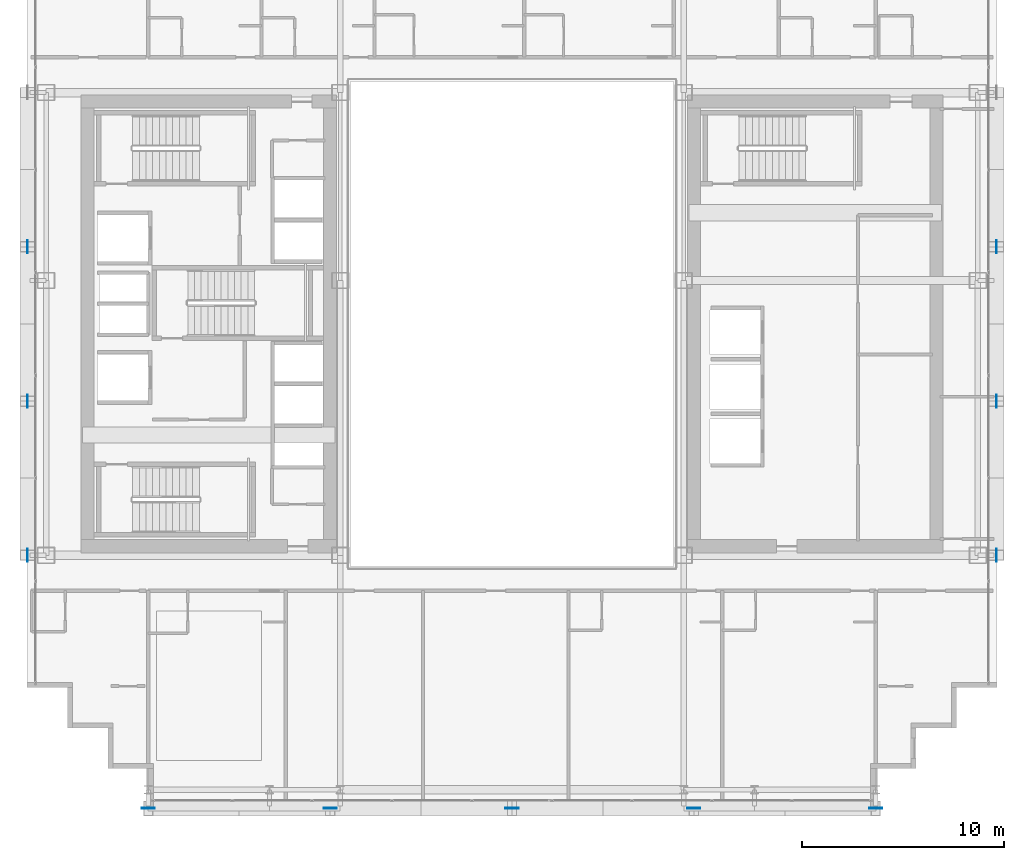
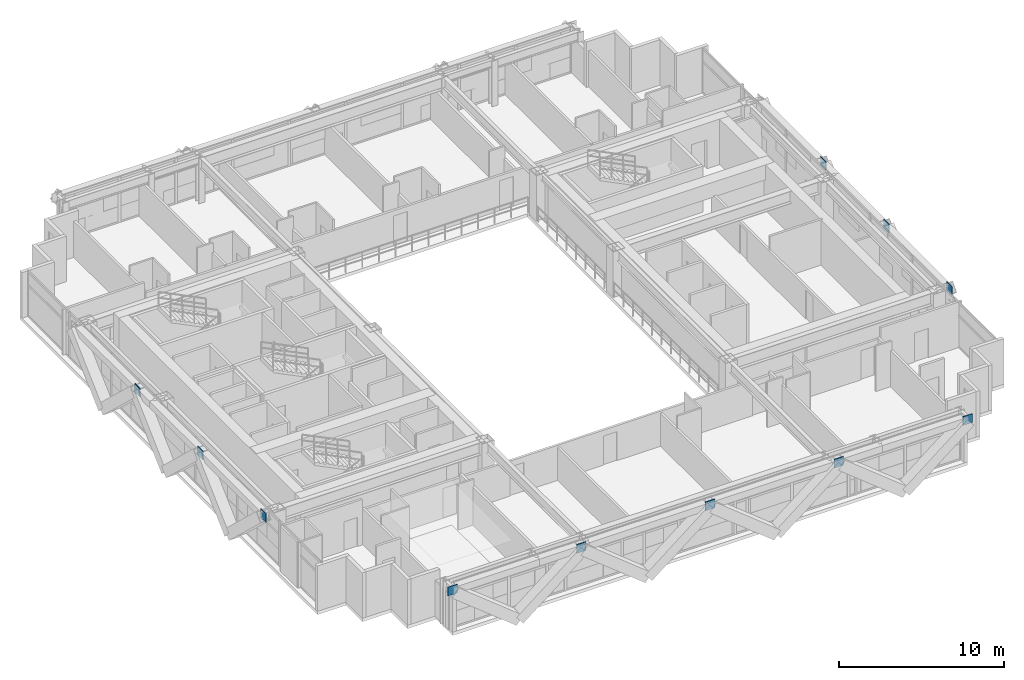
# One storey, part 25 of 35: 11 plates.
"""IFC4 building model written with IfcOpenShell, lengths in metres."""

from ifc_helpers import new_model, si_unit, direction, frame, origin, origin_2d, place, context, subcontext, project, spatial, rectangle, extrude, source, transform, mapped, material, layer, layer_set, type_object, element, save


model = new_model("IFC4")

# Units and contexts
model_context = context("Model", 3, precision=1e-05, world=origin(), true_north=direction((0.0, 1.0)))
body_context = subcontext(model_context, "Body", "Model", "MODEL_VIEW")
ifc_project = project(units=[si_unit("LENGTHUNIT", "METRE"), si_unit("AREAUNIT", "SQUARE_METRE"), si_unit("VOLUMEUNIT", "CUBIC_METRE"), si_unit("PLANEANGLEUNIT", "RADIAN"), si_unit("MASSUNIT", "GRAM", prefix="KILO")], contexts=[model_context])

# Site, building, storey
site_placement = place(None, origin())
site = spatial("IfcSite", under=ifc_project, at=site_placement, CompositionType="ELEMENT")
building_placement = place(site_placement, origin())
building = spatial("IfcBuilding", under=site, at=building_placement, Name="Ocotamira Hotel", CompositionType="ELEMENT")
storey_placement = place(building_placement, frame((0.0, 0.0, 144.0)))
storey = spatial("IfcBuildingStorey", under=building, at=storey_placement, Name="L36", CompositionType="ELEMENT", Elevation=144.0)

# Plates
ifc_material = material(Name="Pale-metal coated steel ASTM A572 Grade 50", Category="steel")
ifc_layer = layer(ifc_material, 0.0400390625)
ifc_layer_set = layer_set([ifc_layer], Name="Pale-metal coated steel ASTM A572 Grade 50")
plate_type = type_object("IfcPlateType", Name="PLT-GUSSET-40", PredefinedType="SHEET", material=ifc_layer_set)
shared_shape_1 = source(origin(), body_context, "Body", "SweptSolid", [
    extrude(rectangle(XDim=0.64990234375, YDim=0.0400390625, at=origin_2d()), origin(), (0.0, 0.0, 1.0), 0.64990234375),
])
for number, where, z_axis, x_axis, name in (
    (1, (14.0, 2.030029296875, 2.78515625), (0.0, 0.0, 1.0), (-1.0, 0.0, 0.0), "L36 Exoskeleton Diagrid S0.1 End Gusset B"),
    (2, (23.0, 2.030029296875, 2.78515625), (0.0, 0.0, 1.0), (1.0, 0.0, 0.0), "L36 Exoskeleton Diagrid S0.2 End Gusset B"),
    (3, (32.0, 2.030029296875, 2.78515625), (0.0, 0.0, 1.0), (1.0, 0.0, 0.0), "L36 Exoskeleton Diagrid S1.2 End Gusset B"),
    (4, (41.0, 2.030029296875, 2.78515625), (0.0, 0.0, 1.0), (1.0, 0.0, 0.0), "L36 Exoskeleton Diagrid S2.2 End Gusset B"),
    (5, (50.0, 2.030029296875, 2.78515625), (0.0, 0.0, 1.0), (1.0, 0.0, 0.0), "L36 Exoskeleton Diagrid S3.2 End Gusset B"),
):
    element("IfcPlate", number, at=place(storey_placement, frame(where, z_axis=z_axis, x_axis=x_axis)), inside=storey, type_object=plate_type, Name=name, PredefinedType="SHEET", context=body_context, shape_type="MappedRepresentation", body=[
        mapped(shared_shape_1, transform((0.0, 0.0, 0.0), scale=1.0)),
    ])
shared_shape_2 = source(origin(), body_context, "Body", "SweptSolid", [
    extrude(rectangle(XDim=0.0400390625, YDim=0.64990234375, at=origin_2d()), origin(), (0.0, 0.0, 1.0), 0.64990234375),
])
for number, where, z_axis, x_axis, name in (
    (6, (8.030029296875, 14.550048828125, 2.78515625), (0.0, 0.0, 1.0), (1.0, 0.0, 0.0), "L36 Exoskeleton Diagrid W0.1 End Gusset B"),
    (7, (8.030029296875, 22.183349609375, 2.78515625), (0.0, 0.0, 1.0), (1.0, 0.0, 0.0), "L36 Exoskeleton Diagrid W0.2 End Gusset B"),
    (8, (8.030029296875, 29.816650390625, 2.78515625), (0.0, 0.0, 1.0), (1.0, 0.0, 0.0), "L36 Exoskeleton Diagrid W1.2 End Gusset B"),
    (9, (55.969970703125, 14.550048828125, 2.78515625), (0.0, 0.0, 1.0), (1.0, 0.0, 0.0), "L36 Exoskeleton Diagrid E0.1 End Gusset B"),
    (10, (55.969970703125, 22.183349609375, 2.78515625), (0.0, 0.0, 1.0), (1.0, 0.0, 0.0), "L36 Exoskeleton Diagrid E0.2 End Gusset B"),
    (11, (55.969970703125, 29.816650390625, 2.78515625), (0.0, 0.0, 1.0), (1.0, 0.0, 0.0), "L36 Exoskeleton Diagrid E1.2 End Gusset B"),
):
    element("IfcPlate", number, at=place(storey_placement, frame(where, z_axis=z_axis, x_axis=x_axis)), inside=storey, type_object=plate_type, Name=name, PredefinedType="SHEET", context=body_context, shape_type="MappedRepresentation", body=[
        mapped(shared_shape_2, transform((0.0, 0.0, 0.0), scale=1.0)),
    ])

save(model, "model.ifc")
